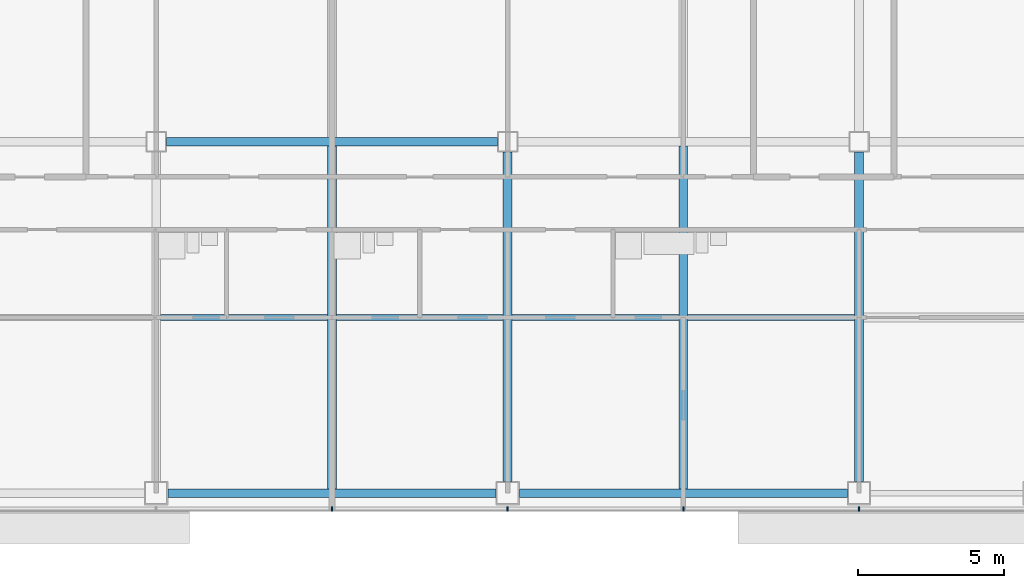
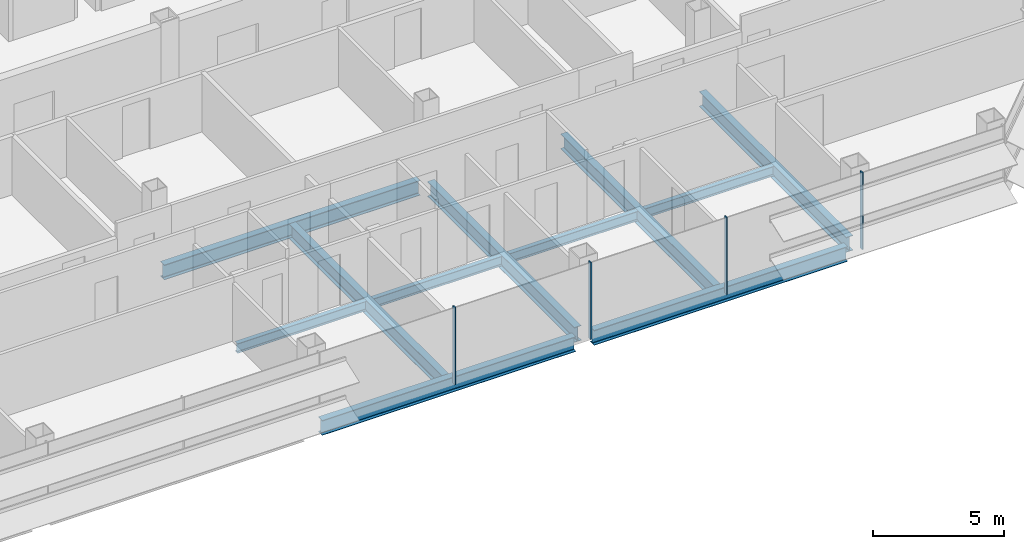
# One storey, part 8 of 25: 11 beams, 4 members, 1 element without a shape of its own.
"""IFC4 building model written with IfcOpenShell, lengths in metres."""

from ifc_helpers import new_model, si_unit, direction, frame, origin, origin_2d, place, context, subcontext, project, spatial, rectangle, i_section, extrude, material, material_profile, profile_set, type_object, element, aggregate, save


model = new_model("IFC4")

# Units and contexts
model_context = context("Model", 3, precision=1e-05, world=origin(), true_north=direction((0.0, 1.0)))
body_context = subcontext(model_context, "Body", "Model", "MODEL_VIEW")
ifc_project = project(units=[si_unit("LENGTHUNIT", "METRE"), si_unit("AREAUNIT", "SQUARE_METRE"), si_unit("VOLUMEUNIT", "CUBIC_METRE"), si_unit("PLANEANGLEUNIT", "RADIAN"), si_unit("MASSUNIT", "GRAM", prefix="KILO")], contexts=[model_context])

# Site, building, storey
site_placement = place(None, origin())
site = spatial("IfcSite", under=ifc_project, at=site_placement, CompositionType="ELEMENT")
building_placement = place(site_placement, origin())
building = spatial("IfcBuilding", under=site, at=building_placement, Name="Sorahane Residences", CompositionType="ELEMENT")
storey_placement = place(building_placement, frame((0.0, 0.0, 107.0)))
storey = spatial("IfcBuildingStorey", under=building, at=storey_placement, Name="L23", CompositionType="ELEMENT", Elevation=107.0)

# Curtain wall, members
ifc_material_1 = material(Name="Dark low-e glass and black anodised aluminium", Category="aluminium")
curtain_wall_type = type_object("IfcCurtainWallType", Name="Curtain wall CW-1 Typical unitised wall", PredefinedType="NOTDEFINED", material=ifc_material_1)
curtain_wall_placement = place(storey_placement, origin())
curtain_wall = element("IfcCurtainWall", 1, at=curtain_wall_placement, inside=storey, type_object=curtain_wall_type, Name="CW-1 curtain wall L23 S1", PredefinedType="NOTDEFINED")
ifc_material_2 = material(Name="Black anodised aluminium", Category="aluminium")
ifc_material_profile_1 = material_profile(ifc_material_2, rectangle(XDim=0.159912109375, YDim=0.050048828125, at=origin_2d()), Name="Curtain wall mullion CW-1 black anodised aluminium 50x160")
ifc_profile_set_1 = profile_set([ifc_material_profile_1], Name="Black anodised aluminium")
member_type = type_object("IfcMemberType", Name="Curtain wall mullion CW-1 black anodised aluminium 50x160", PredefinedType="MULLION", material=ifc_profile_set_1)
member_1_placement = place(storey_placement, frame((30.0, -0.5400390625, -0.179931640625), z_axis=(0.0, 0.0, 1.0), x_axis=(0.0, -1.0, 0.0)))
member_1 = element("IfcMember", 2, at=member_1_placement, type_object=member_type, Name="CW-1 mullion L23 S1.6", PredefinedType="MULLION", context=body_context, shape_type="SweptSolid", body=[
    extrude(rectangle(XDim=0.159912109375, YDim=0.050048828125, at=origin_2d()), origin(), (0.0, 0.0, 1.0), 3.599853515625),
])
member_2_placement = place(storey_placement, frame((36.0, -0.5400390625, -0.179931640625), z_axis=(0.0, 0.0, 1.0), x_axis=(0.0, -1.0, 0.0)))
member_2 = element("IfcMember", 3, at=member_2_placement, type_object=member_type, Name="CW-1 mullion L23 S1.7", PredefinedType="MULLION", context=body_context, shape_type="SweptSolid", body=[
    extrude(rectangle(XDim=0.159912109375, YDim=0.050048828125, at=origin_2d()), origin(), (0.0, 0.0, 1.0), 3.599853515625),
])
member_3_placement = place(storey_placement, frame((42.0, -0.5400390625, -0.179931640625), z_axis=(0.0, 0.0, 1.0), x_axis=(0.0, -1.0, 0.0)))
member_3 = element("IfcMember", 4, at=member_3_placement, type_object=member_type, Name="CW-1 mullion L23 S1.8", PredefinedType="MULLION", context=body_context, shape_type="SweptSolid", body=[
    extrude(rectangle(XDim=0.159912109375, YDim=0.050048828125, at=origin_2d()), origin(), (0.0, 0.0, 1.0), 3.599853515625),
])
member_4_placement = place(storey_placement, frame((48.0, -0.5400390625, -0.179931640625), z_axis=(0.0, 0.0, 1.0), x_axis=(0.0, -1.0, 0.0)))
member_4 = element("IfcMember", 5, at=member_4_placement, type_object=member_type, Name="CW-1 mullion L23 S1.9", PredefinedType="MULLION", context=body_context, shape_type="SweptSolid", body=[
    extrude(rectangle(XDim=0.159912109375, YDim=0.050048828125, at=origin_2d()), origin(), (0.0, 0.0, 1.0), 3.599853515625),
])
aggregate(curtain_wall, [member_1, member_2, member_3, member_4])

# Beams
ifc_material_3 = material(Name="Steel Q355B", Category="steel")
ifc_material_profile_2 = material_profile(ifc_material_3, i_section(OverallWidth=0.199951171875, OverallDepth=0.449951171875, WebThickness=0.009033203125, FlangeThickness=0.013916015625, FilletRadius=0.02001953125, at=origin_2d()), Name="HN 450x200x9x14")
ifc_profile_set_2 = profile_set([ifc_material_profile_2], Name="Steel Q355B")
beam_type_1 = type_object("IfcBeamType", Name="Steel floor beam HN 450x200x9x14 Q355B", PredefinedType="BEAM", material=ifc_profile_set_2)
for number, where, z_axis, x_axis, name in (
    (6, (24.14990234375, 6.0, -0.405029296875), (1.0, 0.0, 0.0), (0.0, 1.0, 0.0), "Beam L23 073"),
    (7, (30.14990234375, 6.0, -0.405029296875), (1.0, 0.0, 0.0), (0.0, 1.0, 0.0), "Beam L23 074"),
    (8, (36.14990234375, 6.0, -0.405029296875), (1.0, 0.0, 0.0), (0.0, 1.0, 0.0), "Beam L23 075"),
    (9, (42.14990234375, 6.0, -0.405029296875), (1.0, 0.0, 0.0), (0.0, 1.0, 0.0), "Beam L23 076"),
):
    element("IfcBeam", number, at=place(storey_placement, frame(where, z_axis=z_axis, x_axis=x_axis)), inside=storey, type_object=beam_type_1, Name=name, PredefinedType="BEAM", context=body_context, shape_type="SweptSolid", body=[
        extrude(i_section(OverallWidth=0.199951171875, OverallDepth=0.449951171875, WebThickness=0.009033203125, FlangeThickness=0.013916015625, FilletRadius=0.02001953125, at=origin_2d()), origin(), (0.0, 0.0, 1.0), 5.7001953125),
    ])
ifc_material_4 = material(Name="Steel Q355B", Category="steel")
ifc_material_profile_3 = material_profile(ifc_material_4, i_section(OverallWidth=0.300048828125, OverallDepth=0.699951171875, WebThickness=0.012939453125, FlangeThickness=0.02392578125, FilletRadius=0.028076171875, at=origin_2d()), Name="HN 700x300x13x24")
ifc_profile_set_3 = profile_set([ifc_material_profile_3], Name="Steel Q355B")
beam_type_2 = type_object("IfcBeamType", Name="Steel floor beam HN 700x300x13x24 Q355B", PredefinedType="BEAM", material=ifc_profile_set_3)
for number, where, z_axis, x_axis, name in (
    (10, (24.39990234375, 0.0, -0.530029296875), (1.0, 0.0, 0.0), (0.0, 1.0, 0.0), "Beam L23 002"),
    (11, (36.39990234375, 0.0, -0.530029296875), (1.0, 0.0, 0.0), (0.0, 1.0, 0.0), "Beam L23 003"),
):
    element("IfcBeam", number, at=place(storey_placement, frame(where, z_axis=z_axis, x_axis=x_axis)), inside=storey, type_object=beam_type_2, Name=name, PredefinedType="BEAM", context=body_context, shape_type="SweptSolid", body=[
        extrude(i_section(OverallWidth=0.300048828125, OverallDepth=0.699951171875, WebThickness=0.012939453125, FlangeThickness=0.02392578125, FilletRadius=0.028076171875, at=origin_2d()), origin(), (0.0, 0.0, 1.0), 11.2001953125),
    ])
beam_1_placement = place(storey_placement, frame((24.35009765625, 12.0, -0.530029296875), z_axis=(1.0, 0.0, 0.0), x_axis=(0.0, 1.0, 0.0)))
element("IfcBeam", 12, at=beam_1_placement, inside=storey, type_object=beam_type_2, Name="Beam L23 008", PredefinedType="BEAM", context=body_context, shape_type="SweptSolid", body=[
    extrude(i_section(OverallWidth=0.300048828125, OverallDepth=0.699951171875, WebThickness=0.012939453125, FlangeThickness=0.02392578125, FilletRadius=0.028076171875, at=origin_2d()), origin(), (0.0, 0.0, 1.0), 11.2998046875),
])
beam_2_placement = place(storey_placement, frame((30.0, 0.14990234375, -0.530029296875), z_axis=(0.0, 1.0, 0.0), x_axis=(-1.0, 0.0, 0.0)))
element("IfcBeam", 13, at=beam_2_placement, inside=storey, type_object=beam_type_2, Name="Beam L23 044", PredefinedType="BEAM", context=body_context, shape_type="SweptSolid", body=[
    extrude(i_section(OverallWidth=0.300048828125, OverallDepth=0.699951171875, WebThickness=0.012939453125, FlangeThickness=0.02392578125, FilletRadius=0.028076171875, at=origin_2d()), origin(), (0.0, 0.0, 1.0), 11.7001953125),
])
beam_3_placement = place(storey_placement, frame((36.0, 0.39990234375, -0.530029296875), z_axis=(0.0, 1.0, 0.0), x_axis=(-1.0, 0.0, 0.0)))
element("IfcBeam", 14, at=beam_3_placement, inside=storey, type_object=beam_type_2, Name="Beam L23 050", PredefinedType="BEAM", context=body_context, shape_type="SweptSolid", body=[
    extrude(i_section(OverallWidth=0.300048828125, OverallDepth=0.699951171875, WebThickness=0.012939453125, FlangeThickness=0.02392578125, FilletRadius=0.028076171875, at=origin_2d()), origin(), (0.0, 0.0, 1.0), 11.25),
])
beam_4_placement = place(storey_placement, frame((42.0, 0.14990234375, -0.530029296875), z_axis=(0.0, 1.0, 0.0), x_axis=(-1.0, 0.0, 0.0)))
element("IfcBeam", 15, at=beam_4_placement, inside=storey, type_object=beam_type_2, Name="Beam L23 052", PredefinedType="BEAM", context=body_context, shape_type="SweptSolid", body=[
    extrude(i_section(OverallWidth=0.300048828125, OverallDepth=0.699951171875, WebThickness=0.012939453125, FlangeThickness=0.02392578125, FilletRadius=0.028076171875, at=origin_2d()), origin(), (0.0, 0.0, 1.0), 11.7001953125),
])
beam_5_placement = place(storey_placement, frame((48.0, 0.39990234375, -0.530029296875), z_axis=(0.0, 1.0, 0.0), x_axis=(-1.0, 0.0, 0.0)))
element("IfcBeam", 16, at=beam_5_placement, inside=storey, type_object=beam_type_2, Name="Beam L23 058", PredefinedType="BEAM", context=body_context, shape_type="SweptSolid", body=[
    extrude(i_section(OverallWidth=0.300048828125, OverallDepth=0.699951171875, WebThickness=0.012939453125, FlangeThickness=0.02392578125, FilletRadius=0.028076171875, at=origin_2d()), origin(), (0.0, 0.0, 1.0), 11.25),
])

save(model, "model.ifc")
